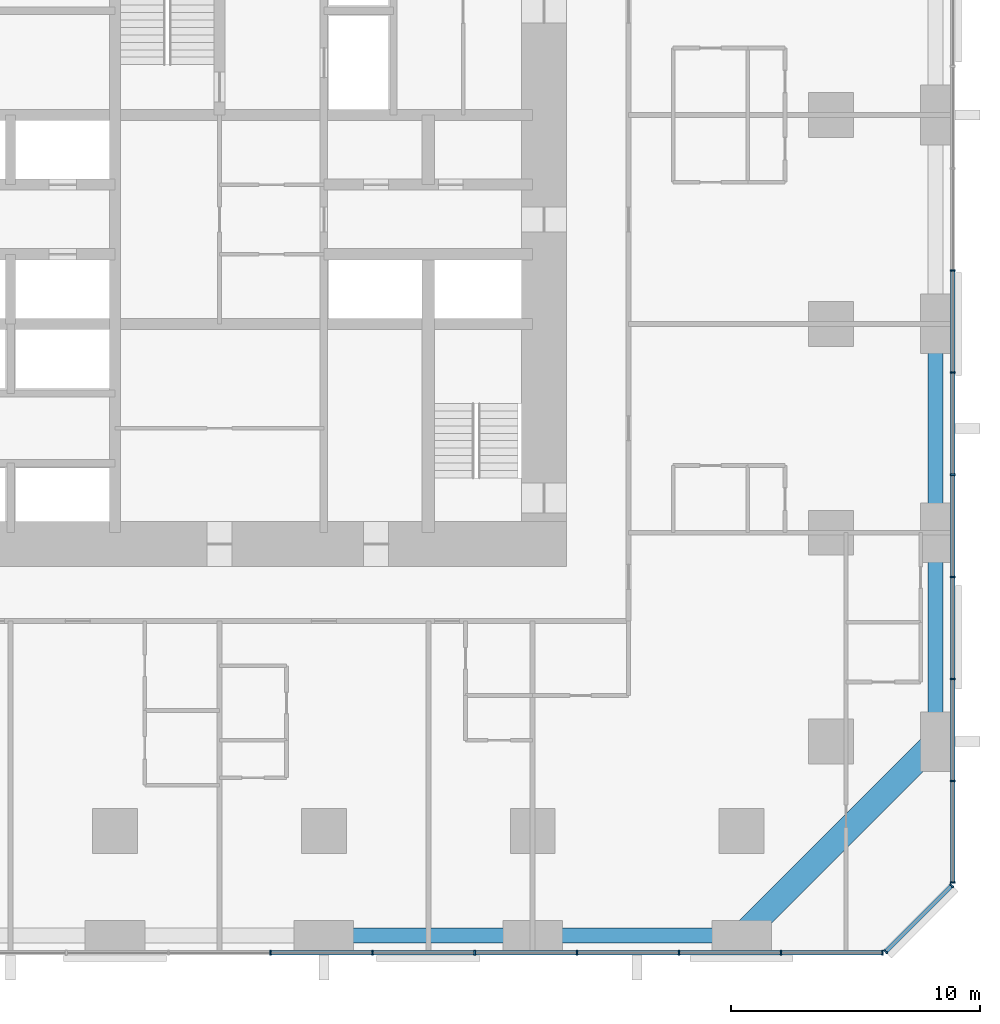
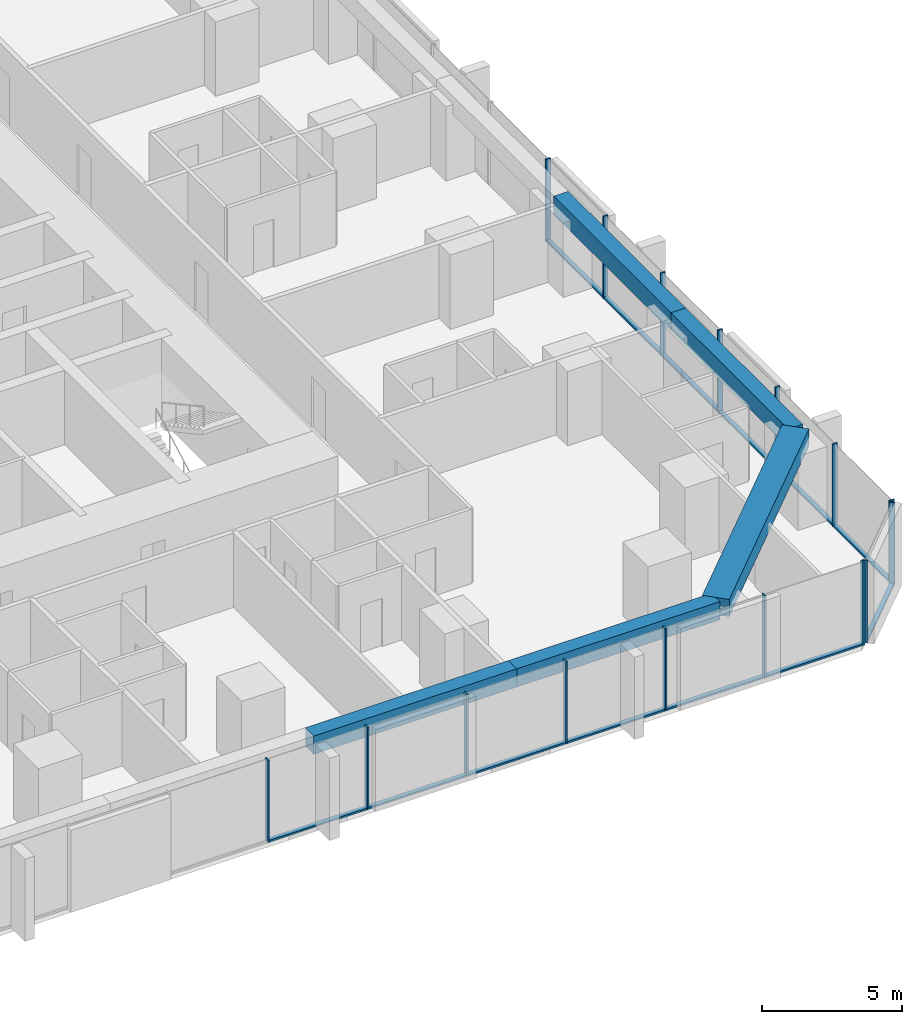
# One storey, part 4 of 17: 29 members, 5 beams, 3 elements without a shape of their own.
"""IFC4 building model written with IfcOpenShell, lengths in metres."""

import ifcopenshell
import ifcopenshell.guid

model = None  # the IFC model being written
_history = None  # IfcOwnerHistory: only IFC2X3 demands one
_inside = {}  # id of a spatial element -> (the spatial element, [elements in it])
_under = {}  # id of a project, library or spatial element -> (it, [spatial elements below it])
_declared = {}  # id of a project -> (the project, [libraries it declares])
_typed = {}  # id of a type object -> (the type object, [elements of that type])
_made_of = {}  # id of a material, layer set ... -> (it, [elements and type objects made of it])


def new_model(schema):
    """Start an empty IFC model of exactly this schema.

    Asked for "IFC4X3", IfcOpenShell would pick the latest addendum, in which some entities
    have other attributes; the version numbers below select the first issue.
    IFC2X3 requires an IfcOwnerHistory on every rooted entity: one is made here for all.
    """
    global model, _history
    if schema == "IFC4X3":
        model = ifcopenshell.file(schema_version=(4, 3, 0, 0))
    else:
        model = ifcopenshell.file(schema=schema)
    _inside.clear()
    _under.clear()
    _declared.clear()
    _typed.clear()
    _made_of.clear()
    _history = None
    if model.schema == "IFC2X3":
        org = make("IfcOrganization", Name="unknown")
        user = make(
            "IfcPersonAndOrganization",
            ThePerson=make("IfcPerson", FamilyName="unknown"),
            TheOrganization=org,
        )
        app = make(
            "IfcApplication",
            ApplicationDeveloper=org,
            Version="unknown",
            ApplicationFullName="unknown",
            ApplicationIdentifier="unknown",
        )
        _history = make(
            "IfcOwnerHistory",
            OwningUser=user,
            OwningApplication=app,
            ChangeAction="ADDED",
            CreationDate=0,
        )
    return model


def make(cls, **values):
    """One entity of the class cls with the attributes given. An attribute that is None is left unset."""
    return model.create_entity(
        cls, **{name: value for name, value in values.items() if value is not None}
    )


def rooted(cls, **values):
    """An entity with a GlobalId (a new one), such as an element, a storey or a relation."""
    return make(cls, GlobalId=ifcopenshell.guid.new(), OwnerHistory=_history, **values)


def si_unit(unit_type, name, prefix=None):
    """IfcSIUnit, for example si_unit("LENGTHUNIT", "METRE", prefix="MILLI")."""
    return make("IfcSIUnit", UnitType=unit_type, Prefix=prefix, Name=name)


def assignment(units):
    """IfcUnitAssignment: the units of a project."""
    return None if units is None else make("IfcUnitAssignment", Units=units)


def point(xyz):
    """IfcCartesianPoint."""
    return None if xyz is None else make("IfcCartesianPoint", Coordinates=xyz)


def direction(xyz):
    """IfcDirection."""
    return None if xyz is None else make("IfcDirection", DirectionRatios=xyz)


def frame(location, z_axis=None, x_axis=None):
    """IfcAxis2Placement3D, a coordinate frame: its origin and axes. An axis left out is left unset."""
    return make(
        "IfcAxis2Placement3D",
        Location=point(location),
        Axis=direction(z_axis),
        RefDirection=direction(x_axis),
    )


def frame_2d(location, x_axis=None):
    """IfcAxis2Placement2D, a coordinate frame in the plane: its origin and x axis."""
    return make(
        "IfcAxis2Placement2D", Location=point(location), RefDirection=direction(x_axis)
    )


def origin():
    """The frame at (0, 0, 0) with its axes left unset."""
    return frame((0.0, 0.0, 0.0))


def origin_2d():
    """The frame at (0, 0) in the plane with its x axis left unset."""
    return frame_2d((0.0, 0.0))


def place(relative_to, where):
    """IfcLocalPlacement: puts the frame where relative to a parent placement (None: the world)."""
    return make(
        "IfcLocalPlacement", PlacementRelTo=relative_to, RelativePlacement=where
    )


def context(
    kind, dimensions, precision=None, world=None, true_north=None, identifier=None
):
    """IfcGeometricRepresentationContext, for example the 3D "Model" context."""
    return make(
        "IfcGeometricRepresentationContext",
        ContextIdentifier=identifier,
        ContextType=kind,
        CoordinateSpaceDimension=dimensions,
        Precision=precision,
        WorldCoordinateSystem=world,
        TrueNorth=true_north,
    )


def subcontext(parent, identifier, kind, view, scale=None):
    """IfcGeometricRepresentationSubContext, for example "Body" below "Model"."""
    return make(
        "IfcGeometricRepresentationSubContext",
        ContextIdentifier=identifier,
        ContextType=kind,
        ParentContext=parent,
        TargetScale=scale,
        TargetView=view,
    )


def project(units=None, contexts=None):
    """IfcProject with its units and contexts."""
    return rooted(
        "IfcProject",
        Name="project",
        RepresentationContexts=contexts,
        UnitsInContext=assignment(units),
    )


def spatial(cls, under=None, at=None, **own):
    """A site, building, storey or space (cls), placed at a placement, below another one or the project."""
    s = rooted(cls, ObjectPlacement=at, **own)
    if under is not None:
        _under.setdefault(under.id(), (under, []))[1].append(s)
    return s


def profile(cls, at=None, kind="AREA", **sizes):
    """A parametric profile (cls). Its sizes go by their IFC names, for example OverallWidth=200.0."""
    return make(cls, ProfileType=kind, Position=at, **sizes)


def rectangle(**sizes):
    """IfcRectangleProfileDef."""
    return profile("IfcRectangleProfileDef", **sizes)


def extrude(swept, where, along, depth):
    """IfcExtrudedAreaSolid: the profile swept, set in the frame where, extruded along a direction by depth."""
    return make(
        "IfcExtrudedAreaSolid",
        SweptArea=swept,
        Position=where,
        ExtrudedDirection=direction(along),
        Depth=depth,
    )


def shape(context_of_items, identifier, shape_type, items):
    """IfcShapeRepresentation: the items that make up one representation, for example the "Body"."""
    return make(
        "IfcShapeRepresentation",
        ContextOfItems=context_of_items,
        RepresentationIdentifier=identifier,
        RepresentationType=shape_type,
        Items=items,
    )


def material(Name=None, Category=None):
    """IfcMaterial."""
    return make("IfcMaterial", Name=Name, Category=Category)


def material_profile(
    of_material, cross_section, Name=None, Category=None, Priority=None
):
    """IfcMaterialProfile: a cross section and its material."""
    return make(
        "IfcMaterialProfile",
        Name=Name,
        Material=of_material,
        Profile=cross_section,
        Priority=Priority,
        Category=Category,
    )


def profile_set(profiles, Name=None, composite=None):
    """IfcMaterialProfileSet."""
    return make(
        "IfcMaterialProfileSet",
        Name=Name,
        MaterialProfiles=profiles,
        CompositeProfile=composite,
    )


def made_of(thing, what):
    """Note that an element or type object is made of a material, layer set ...; save() writes the relation."""
    if what is not None:
        _made_of.setdefault(what.id(), (what, []))[1].append(thing)
    return thing


def type_object(cls, material=None, **own):
    """A type object (cls), such as IfcWallType, which elements share."""
    return made_of(rooted(cls, **own), material)


def element(
    cls,
    number,
    at=None,
    inside=None,
    cuts=None,
    type_object=None,
    material=None,
    context=None,
    identifier="Body",
    shape_type=None,
    held_by="IfcProductDefinitionShape",
    body=None,
    shapes=None,
    **own,
):
    """One element of the class cls, such as IfcWall. Its Tag is "e" and its number.

    at: its placement. inside: the storey or other place that contains it. cuts: it is an
    opening in that element (IfcRelVoidsElement). A single representation is given by context,
    identifier, shape_type and body (its items); several are given by shapes. held_by: the class
    of the entity that holds the representations. save() writes the other relations.
    """
    e = rooted(cls, Tag="e%d" % number, ObjectPlacement=at, **own)
    if body is not None:
        shapes = [shape(context, identifier, shape_type, body)]
    if shapes is not None:
        e.Representation = make(held_by, Representations=shapes)
    if inside is not None:
        _inside.setdefault(inside.id(), (inside, []))[1].append(e)
    if cuts is not None:
        rooted(
            "IfcRelVoidsElement", RelatingBuildingElement=cuts, RelatedOpeningElement=e
        )
    if type_object is not None:
        _typed.setdefault(type_object.id(), (type_object, []))[1].append(e)
    return made_of(e, material)


def aggregate(whole, parts):
    """IfcRelAggregates: a whole, such as a stair, and the parts it consists of."""
    return rooted("IfcRelAggregates", RelatingObject=whole, RelatedObjects=parts)


def save(model, path):
    """Write the relations noted so far, then the file.

    IfcRelAggregates (storeys below a building ...), IfcRelContainedInSpatialStructure (elements
    in a storey), IfcRelDefinesByType, IfcRelAssociatesMaterial and IfcRelDeclares: one each for
    every whole, place, type object, material and project.
    """
    for whole, parts in _under.values():
        aggregate(whole, parts)
    for where, things in _inside.values():
        rooted(
            "IfcRelContainedInSpatialStructure",
            RelatedElements=things,
            RelatingStructure=where,
        )
    for kind, things in _typed.values():
        rooted("IfcRelDefinesByType", RelatedObjects=things, RelatingType=kind)
    for what, things in _made_of.values():
        rooted("IfcRelAssociatesMaterial", RelatedObjects=things, RelatingMaterial=what)
    for by, libraries in _declared.values():
        rooted("IfcRelDeclares", RelatingContext=by, RelatedDefinitions=libraries)
    model.write(path)


model = new_model("IFC4")

# Units and contexts
model_context = context("Model", 3, precision=1e-05, world=origin(), true_north=direction((0.0, 1.0)))
body_context = subcontext(model_context, "Body", "Model", "MODEL_VIEW")
ifc_project = project(units=[si_unit("LENGTHUNIT", "METRE"), si_unit("AREAUNIT", "SQUARE_METRE"), si_unit("VOLUMEUNIT", "CUBIC_METRE"), si_unit("PLANEANGLEUNIT", "RADIAN"), si_unit("MASSUNIT", "GRAM", prefix="KILO")], contexts=[model_context])

# Site, building, storey
site_placement = place(None, origin())
site = spatial("IfcSite", under=ifc_project, at=site_placement, CompositionType="ELEMENT")
building_placement = place(site_placement, origin())
building = spatial("IfcBuilding", under=site, at=building_placement, Name="Dunama Terrace Hotel", CompositionType="ELEMENT")
storey_placement = place(building_placement, frame((0.0, 0.0, 34.199951171875)))
storey = spatial("IfcBuildingStorey", under=building, at=storey_placement, Name="L07", CompositionType="ELEMENT", Elevation=34.199951171875)

# Curtain wall, members
ifc_material_1 = material(Name="Aluminium curtain wall system", Category="aluminium")
curtain_wall_type = type_object("IfcCurtainWallType", Name="Unitised fritted glass wall CW-A", PredefinedType="NOTDEFINED", material=ifc_material_1)
curtain_wall_1_placement = place(storey_placement, origin())
curtain_wall_1 = element("IfcCurtainWall", 1, at=curtain_wall_1_placement, inside=storey, type_object=curtain_wall_type, Name="Unitised fritted glass wall CW-A L07", PredefinedType="NOTDEFINED")
ifc_material_2 = material(Name="Aluminium mullion", Category="aluminium")
ifc_material_profile_1 = material_profile(ifc_material_2, rectangle(XDim=0.06494140625, YDim=0.199951171875, at=origin_2d()), Name="CWA MULLION 65X200")
ifc_profile_set_1 = profile_set([ifc_material_profile_1], Name="Aluminium mullion")
member_type_1 = type_object("IfcMemberType", Name="CWA mullion 65x200", PredefinedType="MULLION", material=ifc_profile_set_1)
member_1_placement = place(storey_placement, frame((31.4541015625, -0.10009765625, 0.0), z_axis=(0.0, 0.0, 1.0), x_axis=(1.0, 0.0, 0.0)))
member_1 = element("IfcMember", 2, at=member_1_placement, type_object=member_type_1, Name="CWA mullion", PredefinedType="MULLION", context=body_context, shape_type="SweptSolid", body=[
    extrude(rectangle(XDim=0.06494140625, YDim=0.199951171875, at=origin_2d()), origin(), (0.0, 0.0, 1.0), 3.60009765625),
])
member_2_placement = place(storey_placement, frame((35.56201171875, -0.10009765625, 0.0), z_axis=(0.0, 0.0, 1.0), x_axis=(1.0, 0.0, 0.0)))
member_2 = element("IfcMember", 3, at=member_2_placement, type_object=member_type_1, Name="CWA mullion", PredefinedType="MULLION", context=body_context, shape_type="SweptSolid", body=[
    extrude(rectangle(XDim=0.06494140625, YDim=0.199951171875, at=origin_2d()), origin(), (0.0, 0.0, 1.0), 3.60009765625),
])
member_3_placement = place(storey_placement, frame((39.6689453125, -0.10009765625, 0.0), z_axis=(0.0, 0.0, 1.0), x_axis=(1.0, 0.0, 0.0)))
member_3 = element("IfcMember", 4, at=member_3_placement, type_object=member_type_1, Name="CWA mullion", PredefinedType="MULLION", context=body_context, shape_type="SweptSolid", body=[
    extrude(rectangle(XDim=0.06494140625, YDim=0.199951171875, at=origin_2d()), origin(), (0.0, 0.0, 1.0), 3.60009765625),
])
member_4_placement = place(storey_placement, frame((43.777099609375, -0.10009765625, 0.0), z_axis=(0.0, 0.0, 1.0), x_axis=(1.0, 0.0, 0.0)))
member_4 = element("IfcMember", 5, at=member_4_placement, type_object=member_type_1, Name="CWA mullion", PredefinedType="MULLION", context=body_context, shape_type="SweptSolid", body=[
    extrude(rectangle(XDim=0.06494140625, YDim=0.199951171875, at=origin_2d()), origin(), (0.0, 0.0, 1.0), 3.60009765625),
])
member_5_placement = place(storey_placement, frame((47.885009765625, -0.10009765625, 0.0), z_axis=(0.0, 0.0, 1.0), x_axis=(1.0, 0.0, 0.0)))
member_5 = element("IfcMember", 6, at=member_5_placement, type_object=member_type_1, Name="CWA mullion", PredefinedType="MULLION", context=body_context, shape_type="SweptSolid", body=[
    extrude(rectangle(XDim=0.06494140625, YDim=0.199951171875, at=origin_2d()), origin(), (0.0, 0.0, 1.0), 3.60009765625),
])
member_6_placement = place(storey_placement, frame((51.991943359375, -0.10009765625, 0.0), z_axis=(0.0, 0.0, 1.0), x_axis=(1.0, 0.0, 0.0)))
member_6 = element("IfcMember", 7, at=member_6_placement, type_object=member_type_1, Name="CWA mullion", PredefinedType="MULLION", context=body_context, shape_type="SweptSolid", body=[
    extrude(rectangle(XDim=0.06494140625, YDim=0.199951171875, at=origin_2d()), origin(), (0.0, 0.0, 1.0), 3.60009765625),
])
member_7_placement = place(storey_placement, frame((56.06689453125, -0.10009765625, 0.0), z_axis=(0.0, 0.0, 1.0), x_axis=(1.0, 0.0, 0.0)))
member_7 = element("IfcMember", 8, at=member_7_placement, type_object=member_type_1, Name="CWA mullion", PredefinedType="MULLION", context=body_context, shape_type="SweptSolid", body=[
    extrude(rectangle(XDim=0.06494140625, YDim=0.199951171875, at=origin_2d()), origin(), (0.0, 0.0, 1.0), 3.60009765625),
])

curtain_wall_2_placement = place(storey_placement, origin())
curtain_wall_2 = element("IfcCurtainWall", 9, at=curtain_wall_2_placement, inside=storey, type_object=curtain_wall_type, Name="Unitised fritted glass wall CW-A L07", PredefinedType="NOTDEFINED")
member_8_placement = place(storey_placement, frame((56.194091796875, -0.048095703125, 0.0), z_axis=(0.0, 0.0, 1.0), x_axis=(0.707106781187, 0.707106781187, 0.0)))
member_8 = element("IfcMember", 10, at=member_8_placement, type_object=member_type_1, Name="CWA mullion", PredefinedType="MULLION", context=body_context, shape_type="SweptSolid", body=[
    extrude(rectangle(XDim=0.06494140625, YDim=0.199951171875, at=origin_2d()), origin(), (0.0, 0.0, 1.0), 3.60009765625),
])
member_9_placement = place(storey_placement, frame((58.847900390625, 2.60595703125, 0.0), z_axis=(0.0, 0.0, 1.0), x_axis=(0.707106781187, 0.707106781187, 0.0)))
member_9 = element("IfcMember", 11, at=member_9_placement, type_object=member_type_1, Name="CWA mullion", PredefinedType="MULLION", context=body_context, shape_type="SweptSolid", body=[
    extrude(rectangle(XDim=0.06494140625, YDim=0.199951171875, at=origin_2d()), origin(), (0.0, 0.0, 1.0), 3.60009765625),
])

curtain_wall_3_placement = place(storey_placement, origin())
curtain_wall_3 = element("IfcCurtainWall", 12, at=curtain_wall_3_placement, inside=storey, type_object=curtain_wall_type, Name="Unitised fritted glass wall CW-A L07", PredefinedType="NOTDEFINED")
member_10_placement = place(storey_placement, frame((58.89990234375, 2.73291015625, 0.0), z_axis=(0.0, 0.0, 1.0), x_axis=(0.0, 1.0, 0.0)))
member_10 = element("IfcMember", 13, at=member_10_placement, type_object=member_type_1, Name="CWA mullion", PredefinedType="MULLION", context=body_context, shape_type="SweptSolid", body=[
    extrude(rectangle(XDim=0.06494140625, YDim=0.199951171875, at=origin_2d()), origin(), (0.0, 0.0, 1.0), 3.60009765625),
])
member_11_placement = place(storey_placement, frame((58.89990234375, 6.80810546875, 0.0), z_axis=(0.0, 0.0, 1.0), x_axis=(0.0, 1.0, 0.0)))
member_11 = element("IfcMember", 14, at=member_11_placement, type_object=member_type_1, Name="CWA mullion", PredefinedType="MULLION", context=body_context, shape_type="SweptSolid", body=[
    extrude(rectangle(XDim=0.06494140625, YDim=0.199951171875, at=origin_2d()), origin(), (0.0, 0.0, 1.0), 3.60009765625),
])
member_12_placement = place(storey_placement, frame((58.89990234375, 10.9150390625, 0.0), z_axis=(0.0, 0.0, 1.0), x_axis=(0.0, 1.0, 0.0)))
member_12 = element("IfcMember", 15, at=member_12_placement, type_object=member_type_1, Name="CWA mullion", PredefinedType="MULLION", context=body_context, shape_type="SweptSolid", body=[
    extrude(rectangle(XDim=0.06494140625, YDim=0.199951171875, at=origin_2d()), origin(), (0.0, 0.0, 1.0), 3.60009765625),
])
member_13_placement = place(storey_placement, frame((58.89990234375, 15.02294921875, 0.0), z_axis=(0.0, 0.0, 1.0), x_axis=(0.0, 1.0, 0.0)))
member_13 = element("IfcMember", 16, at=member_13_placement, type_object=member_type_1, Name="CWA mullion", PredefinedType="MULLION", context=body_context, shape_type="SweptSolid", body=[
    extrude(rectangle(XDim=0.06494140625, YDim=0.199951171875, at=origin_2d()), origin(), (0.0, 0.0, 1.0), 3.60009765625),
])
member_14_placement = place(storey_placement, frame((58.89990234375, 19.131103515625, 0.0), z_axis=(0.0, 0.0, 1.0), x_axis=(0.0, 1.0, 0.0)))
member_14 = element("IfcMember", 17, at=member_14_placement, type_object=member_type_1, Name="CWA mullion", PredefinedType="MULLION", context=body_context, shape_type="SweptSolid", body=[
    extrude(rectangle(XDim=0.06494140625, YDim=0.199951171875, at=origin_2d()), origin(), (0.0, 0.0, 1.0), 3.60009765625),
])
member_15_placement = place(storey_placement, frame((58.89990234375, 23.238037109375, 0.0), z_axis=(0.0, 0.0, 1.0), x_axis=(0.0, 1.0, 0.0)))
member_15 = element("IfcMember", 18, at=member_15_placement, type_object=member_type_1, Name="CWA mullion", PredefinedType="MULLION", context=body_context, shape_type="SweptSolid", body=[
    extrude(rectangle(XDim=0.06494140625, YDim=0.199951171875, at=origin_2d()), origin(), (0.0, 0.0, 1.0), 3.60009765625),
])
member_16_placement = place(storey_placement, frame((58.89990234375, 27.345947265625, 0.0), z_axis=(0.0, 0.0, 1.0), x_axis=(0.0, 1.0, 0.0)))
member_16 = element("IfcMember", 19, at=member_16_placement, type_object=member_type_1, Name="CWA mullion", PredefinedType="MULLION", context=body_context, shape_type="SweptSolid", body=[
    extrude(rectangle(XDim=0.06494140625, YDim=0.199951171875, at=origin_2d()), origin(), (0.0, 0.0, 1.0), 3.60009765625),
])

# Member
ifc_material_3 = material(Name="Aluminium transom", Category="aluminium")
ifc_material_profile_2 = material_profile(ifc_material_3, rectangle(XDim=0.179931640625, YDim=0.074951171875, at=origin_2d()), Name="CWA TRANSOM 180X75")
ifc_profile_set_2 = profile_set([ifc_material_profile_2], Name="Aluminium transom")
member_type_2 = type_object("IfcMemberType", Name="CWA transom 180x75", PredefinedType="USERDEFINED", material=ifc_profile_set_2)
member_17_placement = place(storey_placement, frame((31.486083984375, -0.10009765625, 0.03759765625), z_axis=(1.0, 0.0, 0.0), x_axis=(0.0, 1.0, 0.0)))
member_17 = element("IfcMember", 20, at=member_17_placement, type_object=member_type_2, Name="CWA transom", ObjectType="TRANSOM", PredefinedType="USERDEFINED", context=body_context, shape_type="SweptSolid", body=[
    extrude(rectangle(XDim=0.179931640625, YDim=0.074951171875, at=origin_2d()), origin(), (0.0, 0.0, 1.0), 4.04296875),
])

member_18_placement = place(storey_placement, frame((35.593994140625, -0.10009765625, 0.03759765625), z_axis=(1.0, 0.0, 0.0), x_axis=(0.0, 1.0, 0.0)))
member_18 = element("IfcMember", 21, at=member_18_placement, type_object=member_type_2, Name="CWA transom", ObjectType="TRANSOM", PredefinedType="USERDEFINED", context=body_context, shape_type="SweptSolid", body=[
    extrude(rectangle(XDim=0.179931640625, YDim=0.074951171875, at=origin_2d()), origin(), (0.0, 0.0, 1.0), 4.04296875),
])

member_19_placement = place(storey_placement, frame((39.701904296875, -0.10009765625, 0.03759765625), z_axis=(1.0, 0.0, 0.0), x_axis=(0.0, 1.0, 0.0)))
member_19 = element("IfcMember", 22, at=member_19_placement, type_object=member_type_2, Name="CWA transom", ObjectType="TRANSOM", PredefinedType="USERDEFINED", context=body_context, shape_type="SweptSolid", body=[
    extrude(rectangle(XDim=0.179931640625, YDim=0.074951171875, at=origin_2d()), origin(), (0.0, 0.0, 1.0), 4.0419921875),
])

member_20_placement = place(storey_placement, frame((43.80908203125, -0.10009765625, 0.03759765625), z_axis=(1.0, 0.0, 0.0), x_axis=(0.0, 1.0, 0.0)))
member_20 = element("IfcMember", 23, at=member_20_placement, type_object=member_type_2, Name="CWA transom", ObjectType="TRANSOM", PredefinedType="USERDEFINED", context=body_context, shape_type="SweptSolid", body=[
    extrude(rectangle(XDim=0.179931640625, YDim=0.074951171875, at=origin_2d()), origin(), (0.0, 0.0, 1.0), 4.04296875),
])

member_21_placement = place(storey_placement, frame((47.9169921875, -0.10009765625, 0.03759765625), z_axis=(1.0, 0.0, 0.0), x_axis=(0.0, 1.0, 0.0)))
member_21 = element("IfcMember", 24, at=member_21_placement, type_object=member_type_2, Name="CWA transom", ObjectType="TRANSOM", PredefinedType="USERDEFINED", context=body_context, shape_type="SweptSolid", body=[
    extrude(rectangle(XDim=0.179931640625, YDim=0.074951171875, at=origin_2d()), origin(), (0.0, 0.0, 1.0), 4.04296875),
])

member_22_placement = place(storey_placement, frame((52.02490234375, -0.10009765625, 0.03759765625), z_axis=(1.0, 0.0, 0.0), x_axis=(0.0, 1.0, 0.0)))
member_22 = element("IfcMember", 25, at=member_22_placement, type_object=member_type_2, Name="CWA transom", ObjectType="TRANSOM", PredefinedType="USERDEFINED", context=body_context, shape_type="SweptSolid", body=[
    extrude(rectangle(XDim=0.179931640625, YDim=0.074951171875, at=origin_2d()), origin(), (0.0, 0.0, 1.0), 4.010009765625),
])

aggregate(curtain_wall_1, [member_1, member_2, member_3, member_4, member_5, member_6, member_7, member_17, member_18, member_19, member_20, member_21, member_22])

member_23_placement = place(storey_placement, frame((56.217041015625, -0.02490234375, 0.03759765625), z_axis=(0.707106781187, 0.707106781187, 0.0), x_axis=(-0.707106781187, 0.707106781187, 0.0)))
member_23 = element("IfcMember", 26, at=member_23_placement, type_object=member_type_2, Name="CWA transom", ObjectType="TRANSOM", PredefinedType="USERDEFINED", context=body_context, shape_type="SweptSolid", body=[
    extrude(rectangle(XDim=0.179931640625, YDim=0.074951171875, at=origin_2d()), origin(), (0.0, 0.0, 1.0), 3.688232421875),
])

aggregate(curtain_wall_2, [member_8, member_9, member_23])

member_24_placement = place(storey_placement, frame((58.89990234375, 2.764892578125, 0.03759765625), z_axis=(0.0, 1.0, 0.0), x_axis=(-1.0, 0.0, 0.0)))
member_24 = element("IfcMember", 27, at=member_24_placement, type_object=member_type_2, Name="CWA transom", ObjectType="TRANSOM", PredefinedType="USERDEFINED", context=body_context, shape_type="SweptSolid", body=[
    extrude(rectangle(XDim=0.179931640625, YDim=0.074951171875, at=origin_2d()), origin(), (0.0, 0.0, 1.0), 4.010009765625),
])

member_25_placement = place(storey_placement, frame((58.89990234375, 6.840087890625, 0.03759765625), z_axis=(0.0, 1.0, 0.0), x_axis=(-1.0, 0.0, 0.0)))
member_25 = element("IfcMember", 28, at=member_25_placement, type_object=member_type_2, Name="CWA transom", ObjectType="TRANSOM", PredefinedType="USERDEFINED", context=body_context, shape_type="SweptSolid", body=[
    extrude(rectangle(XDim=0.179931640625, YDim=0.074951171875, at=origin_2d()), origin(), (0.0, 0.0, 1.0), 4.04296875),
])

member_26_placement = place(storey_placement, frame((58.89990234375, 10.947998046875, 0.03759765625), z_axis=(0.0, 1.0, 0.0), x_axis=(-1.0, 0.0, 0.0)))
member_26 = element("IfcMember", 29, at=member_26_placement, type_object=member_type_2, Name="CWA transom", ObjectType="TRANSOM", PredefinedType="USERDEFINED", context=body_context, shape_type="SweptSolid", body=[
    extrude(rectangle(XDim=0.179931640625, YDim=0.074951171875, at=origin_2d()), origin(), (0.0, 0.0, 1.0), 4.04296875),
])

member_27_placement = place(storey_placement, frame((58.89990234375, 15.055908203125, 0.03759765625), z_axis=(0.0, 1.0, 0.0), x_axis=(-1.0, 0.0, 0.0)))
member_27 = element("IfcMember", 30, at=member_27_placement, type_object=member_type_2, Name="CWA transom", ObjectType="TRANSOM", PredefinedType="USERDEFINED", context=body_context, shape_type="SweptSolid", body=[
    extrude(rectangle(XDim=0.179931640625, YDim=0.074951171875, at=origin_2d()), origin(), (0.0, 0.0, 1.0), 4.0419921875),
])

member_28_placement = place(storey_placement, frame((58.89990234375, 19.1630859375, 0.03759765625), z_axis=(0.0, 1.0, 0.0), x_axis=(-1.0, 0.0, 0.0)))
member_28 = element("IfcMember", 31, at=member_28_placement, type_object=member_type_2, Name="CWA transom", ObjectType="TRANSOM", PredefinedType="USERDEFINED", context=body_context, shape_type="SweptSolid", body=[
    extrude(rectangle(XDim=0.179931640625, YDim=0.074951171875, at=origin_2d()), origin(), (0.0, 0.0, 1.0), 4.04296875),
])

member_29_placement = place(storey_placement, frame((58.89990234375, 23.27099609375, 0.03759765625), z_axis=(0.0, 1.0, 0.0), x_axis=(-1.0, 0.0, 0.0)))
member_29 = element("IfcMember", 32, at=member_29_placement, type_object=member_type_2, Name="CWA transom", ObjectType="TRANSOM", PredefinedType="USERDEFINED", context=body_context, shape_type="SweptSolid", body=[
    extrude(rectangle(XDim=0.179931640625, YDim=0.074951171875, at=origin_2d()), origin(), (0.0, 0.0, 1.0), 4.04296875),
])

aggregate(curtain_wall_3, [member_10, member_11, member_12, member_13, member_14, member_15, member_16, member_24, member_25, member_26, member_27, member_28, member_29])

# Beams
ifc_material_4 = material(Name="Concrete C50/60", Category="concrete")
ifc_material_profile_3 = material_profile(ifc_material_4, rectangle(XDim=1.0, YDim=0.75, at=origin_2d()), Name="RC 1000x750")
ifc_profile_set_3 = profile_set([ifc_material_profile_3], Name="Concrete C50/60")
beam_type_1 = type_object("IfcBeamType", Name="Edge beam RC 1000x750", PredefinedType="SPANDREL", material=ifc_profile_set_3)
beam_1_placement = place(storey_placement, frame((50.39990234375, 0.60009765625, 3.22509765625), z_axis=(0.707117847453, 0.707095714747, 0.0), x_axis=(-0.707095714747, 0.707117847453, 0.0)))
element("IfcBeam", 33, at=beam_1_placement, inside=storey, type_object=beam_type_1, Name="Corner edge beam under L08", PredefinedType="SPANDREL", context=body_context, shape_type="SweptSolid", body=[
    extrude(rectangle(XDim=1.0, YDim=0.75, at=origin_2d()), origin(), (0.0, 0.0, 1.0), 11.03076171875),
])
ifc_material_5 = material(Name="Concrete C40/50", Category="concrete")
ifc_material_profile_4 = material_profile(ifc_material_5, rectangle(XDim=0.60009765625, YDim=0.800048828125, at=origin_2d()), Name="RC 600x800")
ifc_profile_set_4 = profile_set([ifc_material_profile_4], Name="Concrete C40/50")
beam_type_2 = type_object("IfcBeamType", Name="Edge beam RC 600x800", PredefinedType="SPANDREL", material=ifc_profile_set_4)
beam_2_placement = place(storey_placement, frame((58.199951171875, 8.39990234375, 3.199951171875), z_axis=(0.0, 1.0, 0.0), x_axis=(-1.0, 0.0, 0.0)))
element("IfcBeam", 34, at=beam_2_placement, inside=storey, type_object=beam_type_2, Name="Edge beam under L08", PredefinedType="SPANDREL", context=body_context, shape_type="SweptSolid", body=[
    extrude(rectangle(XDim=0.60009765625, YDim=0.800048828125, at=origin_2d()), origin(), (0.0, 0.0, 1.0), 8.400146484375),
])
for number, where, z_axis, x_axis, name in (
    (35, (58.199951171875, 16.800048828125, 3.199951171875), (0.0, 1.0, 0.0), (-1.0, 0.0, 0.0), "Edge beam under L08"),
    (36, (33.60009765625, 0.60009765625, 3.199951171875), (1.0, 0.0, 0.0), (0.0, 1.0, 0.0), "Edge beam under L08"),
    (37, (42.0, 0.60009765625, 3.199951171875), (1.0, 0.0, 0.0), (0.0, 1.0, 0.0), "Edge beam under L08"),
):
    element("IfcBeam", number, at=place(storey_placement, frame(where, z_axis=z_axis, x_axis=x_axis)), inside=storey, type_object=beam_type_2, Name=name, PredefinedType="SPANDREL", context=body_context, shape_type="SweptSolid", body=[
        extrude(rectangle(XDim=0.60009765625, YDim=0.800048828125, at=origin_2d()), origin(), (0.0, 0.0, 1.0), 8.39990234375),
    ])

save(model, "model.ifc")
